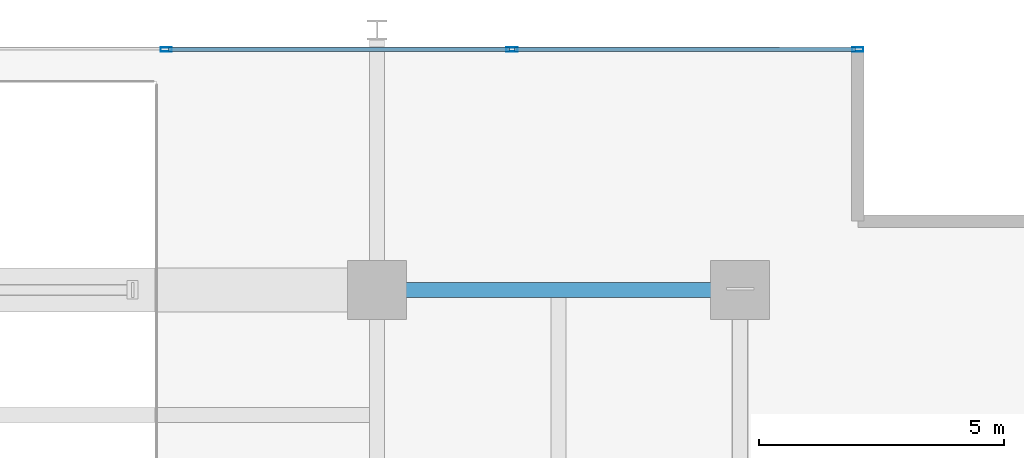
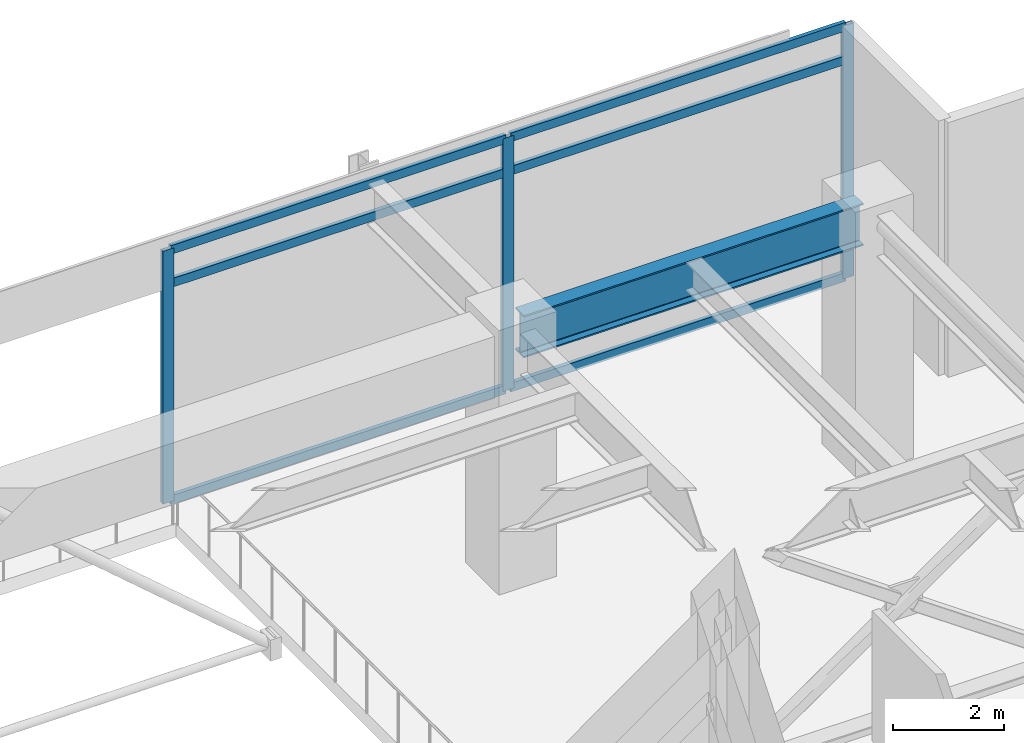
# One storey, part 17 of 26: 9 members, 1 beam, 1 element without a shape of its own.
"""IFC4 building model written with IfcOpenShell, lengths in metres."""

from ifc_helpers import new_model, si_unit, direction, frame, origin, origin_2d, place, context, subcontext, project, spatial, hollow_rectangle, i_section, extrude, material, material_profile, profile_set, type_object, element, aggregate, save


model = new_model("IFC4")

# Units and contexts
model_context = context("Model", 3, precision=1e-05, world=origin(), true_north=direction((0.0, 1.0)))
body_context = subcontext(model_context, "Body", "Model", "MODEL_VIEW")
ifc_project = project(units=[si_unit("LENGTHUNIT", "METRE"), si_unit("AREAUNIT", "SQUARE_METRE"), si_unit("VOLUMEUNIT", "CUBIC_METRE"), si_unit("PLANEANGLEUNIT", "RADIAN"), si_unit("MASSUNIT", "GRAM", prefix="KILO")], contexts=[model_context])

# Site, building, storey
site_placement = place(None, origin())
site = spatial("IfcSite", under=ifc_project, at=site_placement, CompositionType="ELEMENT")
building_placement = place(site_placement, origin())
building = spatial("IfcBuilding", under=site, at=building_placement, Name="Kovane Verandah Tower", CompositionType="ELEMENT")
storey_placement = place(building_placement, frame((0.0, 0.0, 301.0)))
storey = spatial("IfcBuildingStorey", under=building, at=storey_placement, Name="L70", CompositionType="ELEMENT", Elevation=301.0)

# Beam
ifc_material_1 = material(Name="Steel S460", Category="steel")
ifc_material_profile_1 = material_profile(ifc_material_1, i_section(OverallWidth=0.3076171875, OverallDepth=0.926513671875, WebThickness=0.01953125, FlangeThickness=0.031982421875, FilletRadius=0.01904296875, at=origin_2d()), Name="UB914x305x289")
ifc_profile_set_1 = profile_set([ifc_material_profile_1], Name="Steel S460")
beam_type = type_object("IfcBeamType", Name="BM-UB914x289", PredefinedType="BEAM", material=ifc_profile_set_1)
beam_placement = place(storey_placement, frame((51.179931640625, 44.199951171875, 5.12158203125), z_axis=(1.0, 0.0, 0.0), x_axis=(0.0, 1.0, 0.0)))
element("IfcBeam", 1, at=beam_placement, inside=storey, type_object=beam_type, Name="L70 Primary Tower Girder G-RN3", PredefinedType="BEAM", context=body_context, shape_type="SweptSolid", body=[
    extrude(i_section(OverallWidth=0.3076171875, OverallDepth=0.926513671875, WebThickness=0.01953125, FlangeThickness=0.031982421875, FilletRadius=0.01904296875, at=origin_2d()), origin(), (0.0, 0.0, 1.0), 7.0400390625),
])

# Curtain wall, members
ifc_material_2 = material(Name="Champagne Anodised Aluminium Frame with Low-E Clear Laminated Glass", Category="aluminium")
curtain_wall_type = type_object("IfcCurtainWallType", Name="CW-SYS-05-HIGH", PredefinedType="NOTDEFINED", material=ifc_material_2)
curtain_wall_placement = place(storey_placement, origin())
curtain_wall = element("IfcCurtainWall", 2, at=curtain_wall_placement, inside=storey, type_object=curtain_wall_type, Name="L70 North-East Wind-Portal Curtain Wall 1", PredefinedType="NOTDEFINED")
ifc_material_3 = material(Name="Champagne Anodised Aluminium 6063-T6", Category="aluminium")
ifc_material_profile_2 = material_profile(ifc_material_3, hollow_rectangle(XDim=0.0849609375, YDim=0.22998046875, WallThickness=0.00390625, at=origin_2d()), Name="AL85x230x4")
ifc_profile_set_2 = profile_set([ifc_material_profile_2], Name="Champagne Anodised Aluminium 6063-T6")
member_type_1 = type_object("IfcMemberType", Name="CW-MUL-85x230", PredefinedType="MULLION", material=ifc_profile_set_2)
member_1_placement = place(storey_placement, frame((60.800048828125, 49.10009765625, 0.02001953125), z_axis=(0.0, 0.0, 1.0), x_axis=(0.0, 1.0, 0.0)))
member_1 = element("IfcMember", 3, at=member_1_placement, type_object=member_type_1, Name="L70 North-East Wind-Portal Curtain Wall 1 Mullion 1", PredefinedType="MULLION", context=body_context, shape_type="SweptSolid", body=[
    extrude(hollow_rectangle(XDim=0.0849609375, YDim=0.22998046875, WallThickness=0.00390625, at=origin_2d()), origin(), (0.0, 0.0, 1.0), 5.544921875),
])
member_2_placement = place(storey_placement, frame((53.75, 49.10009765625, 0.02001953125), z_axis=(0.0, 0.0, 1.0), x_axis=(0.0, 1.0, 0.0)))
member_2 = element("IfcMember", 4, at=member_2_placement, type_object=member_type_1, Name="L70 North-East Wind-Portal Curtain Wall 1 Mullion 2", PredefinedType="MULLION", context=body_context, shape_type="SweptSolid", body=[
    extrude(hollow_rectangle(XDim=0.0849609375, YDim=0.22998046875, WallThickness=0.00390625, at=origin_2d()), origin(), (0.0, 0.0, 1.0), 5.544921875),
])
member_3_placement = place(storey_placement, frame((46.699951171875, 49.10009765625, 0.02001953125), z_axis=(0.0, 0.0, 1.0), x_axis=(0.0, 1.0, 0.0)))
member_3 = element("IfcMember", 5, at=member_3_placement, type_object=member_type_1, Name="L70 North-East Wind-Portal Curtain Wall 1 Mullion 3", PredefinedType="MULLION", context=body_context, shape_type="SweptSolid", body=[
    extrude(hollow_rectangle(XDim=0.0849609375, YDim=0.22998046875, WallThickness=0.00390625, at=origin_2d()), origin(), (0.0, 0.0, 1.0), 5.544921875),
])
ifc_material_profile_3 = material_profile(ifc_material_3, hollow_rectangle(XDim=0.0849609375, YDim=0.18994140625, WallThickness=0.00390625, at=origin_2d()), Name="AL85x190x4")
ifc_profile_set_3 = profile_set([ifc_material_profile_3], Name="Champagne Anodised Aluminium 6063-T6")
member_type_2 = type_object("IfcMemberType", Name="CW-TRN-85x190", PredefinedType="USERDEFINED", material=ifc_profile_set_3)
member_4_placement = place(storey_placement, frame((60.75, 49.10009765625, 0.050048828125), z_axis=(-1.0, 0.0, 0.0), x_axis=(0.0, -1.0, 0.0)))
member_4 = element("IfcMember", 6, at=member_4_placement, type_object=member_type_2, Name="L70 North-East Wind-Portal Curtain Wall 1 Transom TB Bay 1", ObjectType="TRANSOM", PredefinedType="USERDEFINED", context=body_context, shape_type="SweptSolid", body=[
    extrude(hollow_rectangle(XDim=0.0849609375, YDim=0.18994140625, WallThickness=0.00390625, at=origin_2d()), origin(), (0.0, 0.0, 1.0), 6.949951171875),
])
member_5_placement = place(storey_placement, frame((60.75, 49.10009765625, 4.804931640625), z_axis=(-1.0, 0.0, 0.0), x_axis=(0.0, -1.0, 0.0)))
member_5 = element("IfcMember", 7, at=member_5_placement, type_object=member_type_2, Name="L70 North-East Wind-Portal Curtain Wall 1 Transom TM Bay 1", ObjectType="TRANSOM", PredefinedType="USERDEFINED", context=body_context, shape_type="SweptSolid", body=[
    extrude(hollow_rectangle(XDim=0.0849609375, YDim=0.18994140625, WallThickness=0.00390625, at=origin_2d()), origin(), (0.0, 0.0, 1.0), 6.949951171875),
])
member_6_placement = place(storey_placement, frame((60.75, 49.10009765625, 5.534912109375), z_axis=(-1.0, 0.0, 0.0), x_axis=(0.0, -1.0, 0.0)))
member_6 = element("IfcMember", 8, at=member_6_placement, type_object=member_type_2, Name="L70 North-East Wind-Portal Curtain Wall 1 Transom TT Bay 1", ObjectType="TRANSOM", PredefinedType="USERDEFINED", context=body_context, shape_type="SweptSolid", body=[
    extrude(hollow_rectangle(XDim=0.0849609375, YDim=0.18994140625, WallThickness=0.00390625, at=origin_2d()), origin(), (0.0, 0.0, 1.0), 6.949951171875),
])
member_7_placement = place(storey_placement, frame((53.699951171875, 49.10009765625, 0.050048828125), z_axis=(-1.0, 0.0, 0.0), x_axis=(0.0, -1.0, 0.0)))
member_7 = element("IfcMember", 9, at=member_7_placement, type_object=member_type_2, Name="L70 North-East Wind-Portal Curtain Wall 1 Transom TB Bay 2", ObjectType="TRANSOM", PredefinedType="USERDEFINED", context=body_context, shape_type="SweptSolid", body=[
    extrude(hollow_rectangle(XDim=0.0849609375, YDim=0.18994140625, WallThickness=0.00390625, at=origin_2d()), origin(), (0.0, 0.0, 1.0), 6.949951171875),
])
member_8_placement = place(storey_placement, frame((53.699951171875, 49.10009765625, 4.804931640625), z_axis=(-1.0, 0.0, 0.0), x_axis=(0.0, -1.0, 0.0)))
member_8 = element("IfcMember", 10, at=member_8_placement, type_object=member_type_2, Name="L70 North-East Wind-Portal Curtain Wall 1 Transom TM Bay 2", ObjectType="TRANSOM", PredefinedType="USERDEFINED", context=body_context, shape_type="SweptSolid", body=[
    extrude(hollow_rectangle(XDim=0.0849609375, YDim=0.18994140625, WallThickness=0.00390625, at=origin_2d()), origin(), (0.0, 0.0, 1.0), 6.949951171875),
])
member_9_placement = place(storey_placement, frame((53.699951171875, 49.10009765625, 5.534912109375), z_axis=(-1.0, 0.0, 0.0), x_axis=(0.0, -1.0, 0.0)))
member_9 = element("IfcMember", 11, at=member_9_placement, type_object=member_type_2, Name="L70 North-East Wind-Portal Curtain Wall 1 Transom TT Bay 2", ObjectType="TRANSOM", PredefinedType="USERDEFINED", context=body_context, shape_type="SweptSolid", body=[
    extrude(hollow_rectangle(XDim=0.0849609375, YDim=0.18994140625, WallThickness=0.00390625, at=origin_2d()), origin(), (0.0, 0.0, 1.0), 6.949951171875),
])
aggregate(curtain_wall, [member_1, member_2, member_3, member_4, member_5, member_6, member_7, member_8, member_9])

save(model, "model.ifc")
